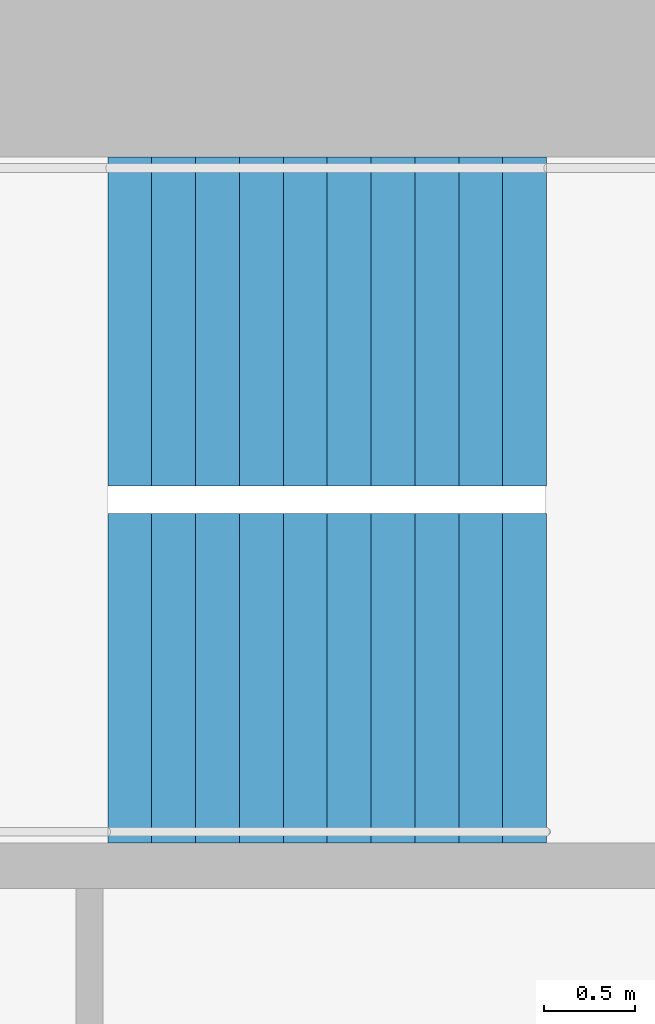
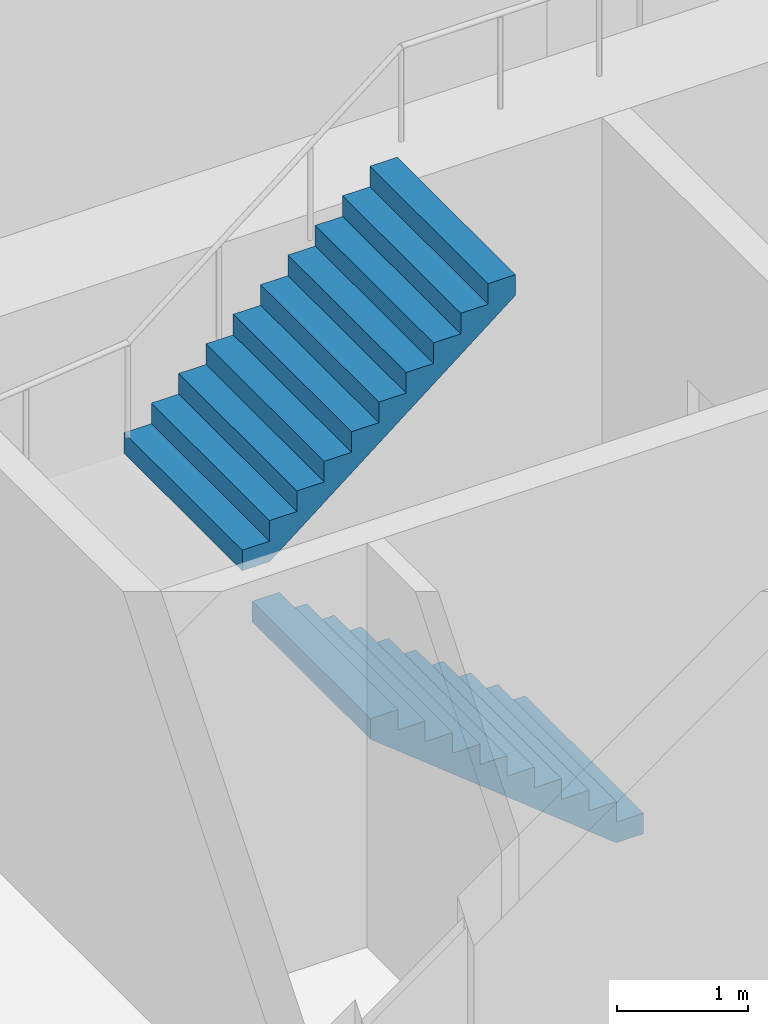
# One storey, part 39 of 41: 2 stair flights, 1 element without a shape of its own.
"""IFC4 building model written with IfcOpenShell, lengths in metres."""

from ifc_helpers import new_model, si_unit, direction, frame, origin, place, context, subcontext, project, spatial, triangles, material, type_object, element, aggregate, save


model = new_model("IFC4")

# Units and contexts
model_context = context("Model", 3, precision=1e-05, world=origin(), true_north=direction((0.0, 1.0)))
body_context = subcontext(model_context, "Body", "Model", "MODEL_VIEW")
ifc_project = project(units=[si_unit("LENGTHUNIT", "METRE"), si_unit("AREAUNIT", "SQUARE_METRE"), si_unit("VOLUMEUNIT", "CUBIC_METRE"), si_unit("PLANEANGLEUNIT", "RADIAN"), si_unit("MASSUNIT", "GRAM", prefix="KILO")], contexts=[model_context])

# Site, building, storey
site_placement = place(None, origin())
site = spatial("IfcSite", under=ifc_project, at=site_placement, CompositionType="ELEMENT")
building_placement = place(site_placement, origin())
building = spatial("IfcBuilding", under=site, at=building_placement, Name="Hakoniwa Tower and Hamabe Station Hall", CompositionType="ELEMENT")
storey_placement = place(building_placement, frame((0.0, 0.0, 276.60009765625)))
storey = spatial("IfcBuildingStorey", under=building, at=storey_placement, Name="L77", CompositionType="ELEMENT", Elevation=276.60009765625)

# Stair, stair flights
ifc_material_1 = material(Name="Concrete C40", Category="concrete")
stair_type = type_object("IfcStairType", Name="ESCAPE STAIR 1800", PredefinedType="HALF_TURN_STAIR", material=ifc_material_1)
stair_placement = place(storey_placement, origin())
stair = element("IfcStair", 1, at=stair_placement, inside=storey, type_object=stair_type, Name="Escape stair ST-3 L77", PredefinedType="HALF_TURN_STAIR")
ifc_material_2 = material(Name="Concrete C40", Category="concrete")
stair_flight_type = type_object("IfcStairFlightType", Name="STAIR FLIGHT 1800", PredefinedType="STRAIGHT", material=ifc_material_2)
stair_flight_1_placement = place(storey_placement, frame((24.39990234375, 4.64990234375, 0.0), z_axis=(0.0, 0.0, 1.0), x_axis=(-1.0, 0.0, 0.0)))
stair_flight_1 = element("IfcStairFlight", 2, at=stair_flight_1_placement, type_object=stair_flight_type, Name="ST-3 flight 1", NumberOfRisers=11, NumberOfTreads=10, PredefinedType="STRAIGHT", RiserHeight=0.190909091, TreadLength=0.24, context=body_context, shape_type="Tessellation", body=[
    triangles([(0.0, 0.89990234375, 0.0), (0.239990234375, 0.89990234375, 0.0), (0.24072265625, 0.89990234375, 0.0), (0.47998046875, 0.89990234375, 0.190185546875), (0.719970703125, 0.89990234375, 0.381103515625), (0.9599609375, 0.89990234375, 0.572021484375), (1.199951171875, 0.89990234375, 0.762939453125), (1.43994140625, 0.89990234375, 0.953857421875), (1.679931640625, 0.89990234375, 1.144775390625), (1.919921875, 0.89990234375, 1.335693359375), (2.159912109375, 0.89990234375, 1.526611328125), (2.39990234375, 0.89990234375, 1.717529296875), (2.39990234375, 0.89990234375, 1.9091796875), (2.159912109375, 0.89990234375, 1.9091796875), (2.159912109375, 0.89990234375, 1.71826171875), (1.919921875, 0.89990234375, 1.71826171875), (1.919921875, 0.89990234375, 1.52734375), (1.679931640625, 0.89990234375, 1.52734375), (1.679931640625, 0.89990234375, 1.33642578125), (1.43994140625, 0.89990234375, 1.33642578125), (1.43994140625, 0.89990234375, 1.1455078125), (1.199951171875, 0.89990234375, 1.1455078125), (1.199951171875, 0.89990234375, 0.95458984375), (0.9599609375, 0.89990234375, 0.95458984375), (0.9599609375, 0.89990234375, 0.763671875), (0.719970703125, 0.89990234375, 0.763671875), (0.719970703125, 0.89990234375, 0.57275390625), (0.47998046875, 0.89990234375, 0.57275390625), (0.47998046875, 0.89990234375, 0.3818359375), (0.24072265625, 0.89990234375, 0.3818359375), (0.239990234375, 0.89990234375, 0.3818359375), (0.239990234375, 0.89990234375, 0.19091796875), (0.0, 0.89990234375, 0.19091796875), (0.0, 0.06005859375, 0.0), (0.239990234375, 0.06005859375, 0.0), (0.24072265625, 0.06005859375, 0.0), (0.47998046875, 0.06005859375, 0.190185546875), (0.719970703125, 0.06005859375, 0.381103515625), (0.9599609375, 0.06005859375, 0.572021484375), (1.199951171875, 0.06005859375, 0.762939453125), (1.43994140625, 0.06005859375, 0.953857421875), (1.679931640625, 0.06005859375, 1.144775390625), (1.919921875, 0.06005859375, 1.335693359375), (2.159912109375, 0.06005859375, 1.526611328125), (2.39990234375, 0.06005859375, 1.717529296875), (2.39990234375, 0.06005859375, 1.9091796875), (2.159912109375, 0.06005859375, 1.9091796875), (2.159912109375, 0.06005859375, 1.71826171875), (1.919921875, 0.06005859375, 1.71826171875), (1.919921875, 0.06005859375, 1.52734375), (1.679931640625, 0.06005859375, 1.52734375), (1.679931640625, 0.06005859375, 1.33642578125), (1.43994140625, 0.06005859375, 1.33642578125), (1.43994140625, 0.06005859375, 1.1455078125), (1.199951171875, 0.06005859375, 1.1455078125), (1.199951171875, 0.06005859375, 0.95458984375), (0.9599609375, 0.06005859375, 0.95458984375), (0.9599609375, 0.06005859375, 0.763671875), (0.719970703125, 0.06005859375, 0.763671875), (0.719970703125, 0.06005859375, 0.57275390625), (0.47998046875, 0.06005859375, 0.57275390625), (0.47998046875, 0.06005859375, 0.3818359375), (0.24072265625, 0.06005859375, 0.3818359375), (0.239990234375, 0.06005859375, 0.3818359375), (0.239990234375, 0.06005859375, 0.19091796875), (0.0, 0.06005859375, 0.19091796875), (0.0, 0.02001953125, 0.0), (0.239990234375, 0.02001953125, 0.0), (0.24072265625, 0.02001953125, 0.0), (0.47998046875, 0.02001953125, 0.190185546875), (0.719970703125, 0.02001953125, 0.381103515625), (0.9599609375, 0.02001953125, 0.572021484375), (1.199951171875, 0.02001953125, 0.762939453125), (1.43994140625, 0.02001953125, 0.953857421875), (1.679931640625, 0.02001953125, 1.144775390625), (1.919921875, 0.02001953125, 1.335693359375), (2.159912109375, 0.02001953125, 1.526611328125), (2.39990234375, 0.02001953125, 1.717529296875), (2.39990234375, 0.02001953125, 1.9091796875), (2.159912109375, 0.02001953125, 1.9091796875), (2.159912109375, 0.02001953125, 1.71826171875), (1.919921875, 0.02001953125, 1.71826171875), (1.919921875, 0.02001953125, 1.52734375), (1.679931640625, 0.02001953125, 1.52734375), (1.679931640625, 0.02001953125, 1.33642578125), (1.43994140625, 0.02001953125, 1.33642578125), (1.43994140625, 0.02001953125, 1.1455078125), (1.199951171875, 0.02001953125, 1.1455078125), (1.199951171875, 0.02001953125, 0.95458984375), (0.9599609375, 0.02001953125, 0.95458984375), (0.9599609375, 0.02001953125, 0.763671875), (0.719970703125, 0.02001953125, 0.763671875), (0.719970703125, 0.02001953125, 0.57275390625), (0.47998046875, 0.02001953125, 0.57275390625), (0.47998046875, 0.02001953125, 0.3818359375), (0.24072265625, 0.02001953125, 0.3818359375), (0.239990234375, 0.02001953125, 0.3818359375), (0.239990234375, 0.02001953125, 0.19091796875), (0.0, 0.02001953125, 0.19091796875), (0.0, -0.02001953125, 0.0), (0.239990234375, -0.02001953125, 0.0), (0.24072265625, -0.02001953125, 0.0), (0.47998046875, -0.02001953125, 0.190185546875), (0.719970703125, -0.02001953125, 0.381103515625), (0.9599609375, -0.02001953125, 0.572021484375), (1.199951171875, -0.02001953125, 0.762939453125), (1.43994140625, -0.02001953125, 0.953857421875), (1.679931640625, -0.02001953125, 1.144775390625), (1.919921875, -0.02001953125, 1.335693359375), (2.159912109375, -0.02001953125, 1.526611328125), (2.39990234375, -0.02001953125, 1.717529296875), (2.39990234375, -0.02001953125, 1.9091796875), (2.159912109375, -0.02001953125, 1.9091796875), (2.159912109375, -0.02001953125, 1.71826171875), (1.919921875, -0.02001953125, 1.71826171875), (1.919921875, -0.02001953125, 1.52734375), (1.679931640625, -0.02001953125, 1.52734375), (1.679931640625, -0.02001953125, 1.33642578125), (1.43994140625, -0.02001953125, 1.33642578125), (1.43994140625, -0.02001953125, 1.1455078125), (1.199951171875, -0.02001953125, 1.1455078125), (1.199951171875, -0.02001953125, 0.95458984375), (0.9599609375, -0.02001953125, 0.95458984375), (0.9599609375, -0.02001953125, 0.763671875), (0.719970703125, -0.02001953125, 0.763671875), (0.719970703125, -0.02001953125, 0.57275390625), (0.47998046875, -0.02001953125, 0.57275390625), (0.47998046875, -0.02001953125, 0.3818359375), (0.24072265625, -0.02001953125, 0.3818359375), (0.239990234375, -0.02001953125, 0.3818359375), (0.239990234375, -0.02001953125, 0.19091796875), (0.0, -0.02001953125, 0.19091796875), (0.0, -0.06005859375, 0.0), (0.239990234375, -0.06005859375, 0.0), (0.24072265625, -0.06005859375, 0.0), (0.47998046875, -0.06005859375, 0.190185546875), (0.719970703125, -0.06005859375, 0.381103515625), (0.9599609375, -0.06005859375, 0.572021484375), (1.199951171875, -0.06005859375, 0.762939453125), (1.43994140625, -0.06005859375, 0.953857421875), (1.679931640625, -0.06005859375, 1.144775390625), (1.919921875, -0.06005859375, 1.335693359375), (2.159912109375, -0.06005859375, 1.526611328125), (2.39990234375, -0.06005859375, 1.717529296875), (2.39990234375, -0.06005859375, 1.9091796875), (2.159912109375, -0.06005859375, 1.9091796875), (2.159912109375, -0.06005859375, 1.71826171875), (1.919921875, -0.06005859375, 1.71826171875), (1.919921875, -0.06005859375, 1.52734375), (1.679931640625, -0.06005859375, 1.52734375), (1.679931640625, -0.06005859375, 1.33642578125), (1.43994140625, -0.06005859375, 1.33642578125), (1.43994140625, -0.06005859375, 1.1455078125), (1.199951171875, -0.06005859375, 1.1455078125), (1.199951171875, -0.06005859375, 0.95458984375), (0.9599609375, -0.06005859375, 0.95458984375), (0.9599609375, -0.06005859375, 0.763671875), (0.719970703125, -0.06005859375, 0.763671875), (0.719970703125, -0.06005859375, 0.57275390625), (0.47998046875, -0.06005859375, 0.57275390625), (0.47998046875, -0.06005859375, 0.3818359375), (0.24072265625, -0.06005859375, 0.3818359375), (0.239990234375, -0.06005859375, 0.3818359375), (0.239990234375, -0.06005859375, 0.19091796875), (0.0, -0.06005859375, 0.19091796875), (0.0, -0.89990234375, 0.0), (0.239990234375, -0.89990234375, 0.0), (0.24072265625, -0.89990234375, 0.0), (0.47998046875, -0.89990234375, 0.190185546875), (0.719970703125, -0.89990234375, 0.381103515625), (0.9599609375, -0.89990234375, 0.572021484375), (1.199951171875, -0.89990234375, 0.762939453125), (1.43994140625, -0.89990234375, 0.953857421875), (1.679931640625, -0.89990234375, 1.144775390625), (1.919921875, -0.89990234375, 1.335693359375), (2.159912109375, -0.89990234375, 1.526611328125), (2.39990234375, -0.89990234375, 1.717529296875), (2.39990234375, -0.89990234375, 1.9091796875), (2.159912109375, -0.89990234375, 1.9091796875), (2.159912109375, -0.89990234375, 1.71826171875), (1.919921875, -0.89990234375, 1.71826171875), (1.919921875, -0.89990234375, 1.52734375), (1.679931640625, -0.89990234375, 1.52734375), (1.679931640625, -0.89990234375, 1.33642578125), (1.43994140625, -0.89990234375, 1.33642578125), (1.43994140625, -0.89990234375, 1.1455078125), (1.199951171875, -0.89990234375, 1.1455078125), (1.199951171875, -0.89990234375, 0.95458984375), (0.9599609375, -0.89990234375, 0.95458984375), (0.9599609375, -0.89990234375, 0.763671875), (0.719970703125, -0.89990234375, 0.763671875), (0.719970703125, -0.89990234375, 0.57275390625), (0.47998046875, -0.89990234375, 0.57275390625), (0.47998046875, -0.89990234375, 0.3818359375), (0.24072265625, -0.89990234375, 0.3818359375), (0.239990234375, -0.89990234375, 0.3818359375), (0.239990234375, -0.89990234375, 0.19091796875), (0.0, -0.89990234375, 0.19091796875)], [[2, 33, 32], [167, 197, 198], [2, 1, 33], [167, 198, 166], [3, 31, 30], [168, 195, 196], [3, 32, 31], [168, 196, 197], [3, 2, 32], [168, 197, 167], [4, 30, 29], [169, 194, 195], [4, 3, 30], [169, 195, 168], [5, 28, 27], [170, 192, 193], [5, 29, 28], [170, 193, 194], [5, 4, 29], [170, 194, 169], [6, 26, 25], [171, 190, 191], [6, 27, 26], [171, 191, 192], [6, 5, 27], [171, 192, 170], [7, 24, 23], [172, 188, 189], [7, 25, 24], [172, 189, 190], [7, 6, 25], [172, 190, 171], [8, 22, 21], [173, 186, 187], [8, 23, 22], [173, 187, 188], [8, 7, 23], [173, 188, 172], [9, 20, 19], [174, 184, 185], [9, 21, 20], [174, 185, 186], [9, 8, 21], [174, 186, 173], [10, 18, 17], [175, 182, 183], [10, 19, 18], [175, 183, 184], [10, 9, 19], [175, 184, 174], [11, 16, 15], [176, 180, 181], [11, 17, 16], [176, 181, 182], [11, 10, 17], [176, 182, 175], [12, 14, 13], [177, 178, 179], [12, 15, 14], [177, 179, 180], [12, 11, 15], [177, 180, 176], [1, 2, 35], [1, 35, 34], [34, 35, 68], [34, 68, 67], [67, 68, 101], [67, 101, 100], [100, 101, 134], [100, 134, 133], [133, 134, 167], [133, 167, 166], [2, 3, 36], [2, 36, 35], [35, 36, 69], [35, 69, 68], [68, 69, 102], [68, 102, 101], [101, 102, 135], [101, 135, 134], [134, 135, 168], [134, 168, 167], [3, 4, 37], [3, 37, 36], [36, 37, 70], [36, 70, 69], [69, 70, 103], [69, 103, 102], [102, 103, 136], [102, 136, 135], [135, 136, 169], [135, 169, 168], [4, 5, 38], [4, 38, 37], [37, 38, 71], [37, 71, 70], [70, 71, 104], [70, 104, 103], [103, 104, 137], [103, 137, 136], [136, 137, 170], [136, 170, 169], [5, 6, 39], [5, 39, 38], [38, 39, 72], [38, 72, 71], [71, 72, 105], [71, 105, 104], [104, 105, 138], [104, 138, 137], [137, 138, 171], [137, 171, 170], [6, 7, 40], [6, 40, 39], [39, 40, 73], [39, 73, 72], [72, 73, 106], [72, 106, 105], [105, 106, 139], [105, 139, 138], [138, 139, 172], [138, 172, 171], [7, 8, 41], [7, 41, 40], [40, 41, 74], [40, 74, 73], [73, 74, 107], [73, 107, 106], [106, 107, 140], [106, 140, 139], [139, 140, 173], [139, 173, 172], [8, 9, 42], [8, 42, 41], [41, 42, 75], [41, 75, 74], [74, 75, 108], [74, 108, 107], [107, 108, 141], [107, 141, 140], [140, 141, 174], [140, 174, 173], [9, 10, 43], [9, 43, 42], [42, 43, 76], [42, 76, 75], [75, 76, 109], [75, 109, 108], [108, 109, 142], [108, 142, 141], [141, 142, 175], [141, 175, 174], [10, 11, 44], [10, 44, 43], [43, 44, 77], [43, 77, 76], [76, 77, 110], [76, 110, 109], [109, 110, 143], [109, 143, 142], [142, 143, 176], [142, 176, 175], [11, 12, 45], [11, 45, 44], [44, 45, 78], [44, 78, 77], [77, 78, 111], [77, 111, 110], [110, 111, 144], [110, 144, 143], [143, 144, 177], [143, 177, 176], [12, 13, 46], [12, 46, 45], [45, 46, 79], [45, 79, 78], [78, 79, 112], [78, 112, 111], [111, 112, 145], [111, 145, 144], [144, 145, 178], [144, 178, 177], [13, 14, 47], [13, 47, 46], [46, 47, 80], [46, 80, 79], [79, 80, 113], [79, 113, 112], [112, 113, 146], [112, 146, 145], [145, 146, 179], [145, 179, 178], [14, 15, 48], [14, 48, 47], [47, 48, 81], [47, 81, 80], [80, 81, 114], [80, 114, 113], [113, 114, 147], [113, 147, 146], [146, 147, 180], [146, 180, 179], [15, 16, 49], [15, 49, 48], [48, 49, 82], [48, 82, 81], [81, 82, 115], [81, 115, 114], [114, 115, 148], [114, 148, 147], [147, 148, 181], [147, 181, 180], [16, 17, 50], [16, 50, 49], [49, 50, 83], [49, 83, 82], [82, 83, 116], [82, 116, 115], [115, 116, 149], [115, 149, 148], [148, 149, 182], [148, 182, 181], [17, 18, 51], [17, 51, 50], [50, 51, 84], [50, 84, 83], [83, 84, 117], [83, 117, 116], [116, 117, 150], [116, 150, 149], [149, 150, 183], [149, 183, 182], [18, 19, 52], [18, 52, 51], [51, 52, 85], [51, 85, 84], [84, 85, 118], [84, 118, 117], [117, 118, 151], [117, 151, 150], [150, 151, 184], [150, 184, 183], [19, 20, 53], [19, 53, 52], [52, 53, 86], [52, 86, 85], [85, 86, 119], [85, 119, 118], [118, 119, 152], [118, 152, 151], [151, 152, 185], [151, 185, 184], [20, 21, 54], [20, 54, 53], [53, 54, 87], [53, 87, 86], [86, 87, 120], [86, 120, 119], [119, 120, 153], [119, 153, 152], [152, 153, 186], [152, 186, 185], [21, 22, 55], [21, 55, 54], [54, 55, 88], [54, 88, 87], [87, 88, 121], [87, 121, 120], [120, 121, 154], [120, 154, 153], [153, 154, 187], [153, 187, 186], [22, 23, 56], [22, 56, 55], [55, 56, 89], [55, 89, 88], [88, 89, 122], [88, 122, 121], [121, 122, 155], [121, 155, 154], [154, 155, 188], [154, 188, 187], [23, 24, 57], [23, 57, 56], [56, 57, 90], [56, 90, 89], [89, 90, 123], [89, 123, 122], [122, 123, 156], [122, 156, 155], [155, 156, 189], [155, 189, 188], [24, 25, 58], [24, 58, 57], [57, 58, 91], [57, 91, 90], [90, 91, 124], [90, 124, 123], [123, 124, 157], [123, 157, 156], [156, 157, 190], [156, 190, 189], [25, 26, 59], [25, 59, 58], [58, 59, 92], [58, 92, 91], [91, 92, 125], [91, 125, 124], [124, 125, 158], [124, 158, 157], [157, 158, 191], [157, 191, 190], [26, 27, 60], [26, 60, 59], [59, 60, 93], [59, 93, 92], [92, 93, 126], [92, 126, 125], [125, 126, 159], [125, 159, 158], [158, 159, 192], [158, 192, 191], [27, 28, 61], [27, 61, 60], [60, 61, 94], [60, 94, 93], [93, 94, 127], [93, 127, 126], [126, 127, 160], [126, 160, 159], [159, 160, 193], [159, 193, 192], [28, 29, 62], [28, 62, 61], [61, 62, 95], [61, 95, 94], [94, 95, 128], [94, 128, 127], [127, 128, 161], [127, 161, 160], [160, 161, 194], [160, 194, 193], [29, 30, 63], [29, 63, 62], [62, 63, 96], [62, 96, 95], [95, 96, 129], [95, 129, 128], [128, 129, 162], [128, 162, 161], [161, 162, 195], [161, 195, 194], [30, 31, 64], [30, 64, 63], [63, 64, 97], [63, 97, 96], [96, 97, 130], [96, 130, 129], [129, 130, 163], [129, 163, 162], [162, 163, 196], [162, 196, 195], [31, 32, 65], [31, 65, 64], [64, 65, 98], [64, 98, 97], [97, 98, 131], [97, 131, 130], [130, 131, 164], [130, 164, 163], [163, 164, 197], [163, 197, 196], [32, 33, 66], [32, 66, 65], [65, 66, 99], [65, 99, 98], [98, 99, 132], [98, 132, 131], [131, 132, 165], [131, 165, 164], [164, 165, 198], [164, 198, 197], [33, 1, 34], [33, 34, 66], [66, 34, 67], [66, 67, 99], [99, 67, 100], [99, 100, 132], [132, 100, 133], [132, 133, 165], [165, 133, 166], [165, 166, 198]], closed=True),
])
stair_flight_2_placement = place(storey_placement, frame((22.0, 6.60009765625, 2.099853515625), z_axis=(0.0, 0.0, 1.0), x_axis=(1.0, 0.0, 0.0)))
stair_flight_2 = element("IfcStairFlight", 3, at=stair_flight_2_placement, type_object=stair_flight_type, Name="ST-3 flight 2", NumberOfRisers=11, NumberOfTreads=10, PredefinedType="STRAIGHT", RiserHeight=0.190909091, TreadLength=0.24, context=body_context, shape_type="Tessellation", body=[
    triangles([(0.0, 0.89990234375, 0.0), (0.239990234375, 0.89990234375, 0.0), (0.24072265625, 0.89990234375, 0.0), (0.47998046875, 0.89990234375, 0.190185546875), (0.719970703125, 0.89990234375, 0.381103515625), (0.9599609375, 0.89990234375, 0.572021484375), (1.199951171875, 0.89990234375, 0.762939453125), (1.43994140625, 0.89990234375, 0.953857421875), (1.679931640625, 0.89990234375, 1.144775390625), (1.919921875, 0.89990234375, 1.335693359375), (2.159912109375, 0.89990234375, 1.526611328125), (2.39990234375, 0.89990234375, 1.717529296875), (2.39990234375, 0.89990234375, 1.9091796875), (2.159912109375, 0.89990234375, 1.9091796875), (2.159912109375, 0.89990234375, 1.71826171875), (1.919921875, 0.89990234375, 1.71826171875), (1.919921875, 0.89990234375, 1.52734375), (1.679931640625, 0.89990234375, 1.52734375), (1.679931640625, 0.89990234375, 1.33642578125), (1.43994140625, 0.89990234375, 1.33642578125), (1.43994140625, 0.89990234375, 1.1455078125), (1.199951171875, 0.89990234375, 1.1455078125), (1.199951171875, 0.89990234375, 0.95458984375), (0.9599609375, 0.89990234375, 0.95458984375), (0.9599609375, 0.89990234375, 0.763671875), (0.719970703125, 0.89990234375, 0.763671875), (0.719970703125, 0.89990234375, 0.57275390625), (0.47998046875, 0.89990234375, 0.57275390625), (0.47998046875, 0.89990234375, 0.3818359375), (0.24072265625, 0.89990234375, 0.3818359375), (0.239990234375, 0.89990234375, 0.3818359375), (0.239990234375, 0.89990234375, 0.19091796875), (0.0, 0.89990234375, 0.19091796875), (0.0, 0.06005859375, 0.0), (0.239990234375, 0.06005859375, 0.0), (0.24072265625, 0.06005859375, 0.0), (0.47998046875, 0.06005859375, 0.190185546875), (0.719970703125, 0.06005859375, 0.381103515625), (0.9599609375, 0.06005859375, 0.572021484375), (1.199951171875, 0.06005859375, 0.762939453125), (1.43994140625, 0.06005859375, 0.953857421875), (1.679931640625, 0.06005859375, 1.144775390625), (1.919921875, 0.06005859375, 1.335693359375), (2.159912109375, 0.06005859375, 1.526611328125), (2.39990234375, 0.06005859375, 1.717529296875), (2.39990234375, 0.06005859375, 1.9091796875), (2.159912109375, 0.06005859375, 1.9091796875), (2.159912109375, 0.06005859375, 1.71826171875), (1.919921875, 0.06005859375, 1.71826171875), (1.919921875, 0.06005859375, 1.52734375), (1.679931640625, 0.06005859375, 1.52734375), (1.679931640625, 0.06005859375, 1.33642578125), (1.43994140625, 0.06005859375, 1.33642578125), (1.43994140625, 0.06005859375, 1.1455078125), (1.199951171875, 0.06005859375, 1.1455078125), (1.199951171875, 0.06005859375, 0.95458984375), (0.9599609375, 0.06005859375, 0.95458984375), (0.9599609375, 0.06005859375, 0.763671875), (0.719970703125, 0.06005859375, 0.763671875), (0.719970703125, 0.06005859375, 0.57275390625), (0.47998046875, 0.06005859375, 0.57275390625), (0.47998046875, 0.06005859375, 0.3818359375), (0.24072265625, 0.06005859375, 0.3818359375), (0.239990234375, 0.06005859375, 0.3818359375), (0.239990234375, 0.06005859375, 0.19091796875), (0.0, 0.06005859375, 0.19091796875), (0.0, 0.02001953125, 0.0), (0.239990234375, 0.02001953125, 0.0), (0.24072265625, 0.02001953125, 0.0), (0.47998046875, 0.02001953125, 0.190185546875), (0.719970703125, 0.02001953125, 0.381103515625), (0.9599609375, 0.02001953125, 0.572021484375), (1.199951171875, 0.02001953125, 0.762939453125), (1.43994140625, 0.02001953125, 0.953857421875), (1.679931640625, 0.02001953125, 1.144775390625), (1.919921875, 0.02001953125, 1.335693359375), (2.159912109375, 0.02001953125, 1.526611328125), (2.39990234375, 0.02001953125, 1.717529296875), (2.39990234375, 0.02001953125, 1.9091796875), (2.159912109375, 0.02001953125, 1.9091796875), (2.159912109375, 0.02001953125, 1.71826171875), (1.919921875, 0.02001953125, 1.71826171875), (1.919921875, 0.02001953125, 1.52734375), (1.679931640625, 0.02001953125, 1.52734375), (1.679931640625, 0.02001953125, 1.33642578125), (1.43994140625, 0.02001953125, 1.33642578125), (1.43994140625, 0.02001953125, 1.1455078125), (1.199951171875, 0.02001953125, 1.1455078125), (1.199951171875, 0.02001953125, 0.95458984375), (0.9599609375, 0.02001953125, 0.95458984375), (0.9599609375, 0.02001953125, 0.763671875), (0.719970703125, 0.02001953125, 0.763671875), (0.719970703125, 0.02001953125, 0.57275390625), (0.47998046875, 0.02001953125, 0.57275390625), (0.47998046875, 0.02001953125, 0.3818359375), (0.24072265625, 0.02001953125, 0.3818359375), (0.239990234375, 0.02001953125, 0.3818359375), (0.239990234375, 0.02001953125, 0.19091796875), (0.0, 0.02001953125, 0.19091796875), (0.0, -0.02001953125, 0.0), (0.239990234375, -0.02001953125, 0.0), (0.24072265625, -0.02001953125, 0.0), (0.47998046875, -0.02001953125, 0.190185546875), (0.719970703125, -0.02001953125, 0.381103515625), (0.9599609375, -0.02001953125, 0.572021484375), (1.199951171875, -0.02001953125, 0.762939453125), (1.43994140625, -0.02001953125, 0.953857421875), (1.679931640625, -0.02001953125, 1.144775390625), (1.919921875, -0.02001953125, 1.335693359375), (2.159912109375, -0.02001953125, 1.526611328125), (2.39990234375, -0.02001953125, 1.717529296875), (2.39990234375, -0.02001953125, 1.9091796875), (2.159912109375, -0.02001953125, 1.9091796875), (2.159912109375, -0.02001953125, 1.71826171875), (1.919921875, -0.02001953125, 1.71826171875), (1.919921875, -0.02001953125, 1.52734375), (1.679931640625, -0.02001953125, 1.52734375), (1.679931640625, -0.02001953125, 1.33642578125), (1.43994140625, -0.02001953125, 1.33642578125), (1.43994140625, -0.02001953125, 1.1455078125), (1.199951171875, -0.02001953125, 1.1455078125), (1.199951171875, -0.02001953125, 0.95458984375), (0.9599609375, -0.02001953125, 0.95458984375), (0.9599609375, -0.02001953125, 0.763671875), (0.719970703125, -0.02001953125, 0.763671875), (0.719970703125, -0.02001953125, 0.57275390625), (0.47998046875, -0.02001953125, 0.57275390625), (0.47998046875, -0.02001953125, 0.3818359375), (0.24072265625, -0.02001953125, 0.3818359375), (0.239990234375, -0.02001953125, 0.3818359375), (0.239990234375, -0.02001953125, 0.19091796875), (0.0, -0.02001953125, 0.19091796875), (0.0, -0.06005859375, 0.0), (0.239990234375, -0.06005859375, 0.0), (0.24072265625, -0.06005859375, 0.0), (0.47998046875, -0.06005859375, 0.190185546875), (0.719970703125, -0.06005859375, 0.381103515625), (0.9599609375, -0.06005859375, 0.572021484375), (1.199951171875, -0.06005859375, 0.762939453125), (1.43994140625, -0.06005859375, 0.953857421875), (1.679931640625, -0.06005859375, 1.144775390625), (1.919921875, -0.06005859375, 1.335693359375), (2.159912109375, -0.06005859375, 1.526611328125), (2.39990234375, -0.06005859375, 1.717529296875), (2.39990234375, -0.06005859375, 1.9091796875), (2.159912109375, -0.06005859375, 1.9091796875), (2.159912109375, -0.06005859375, 1.71826171875), (1.919921875, -0.06005859375, 1.71826171875), (1.919921875, -0.06005859375, 1.52734375), (1.679931640625, -0.06005859375, 1.52734375), (1.679931640625, -0.06005859375, 1.33642578125), (1.43994140625, -0.06005859375, 1.33642578125), (1.43994140625, -0.06005859375, 1.1455078125), (1.199951171875, -0.06005859375, 1.1455078125), (1.199951171875, -0.06005859375, 0.95458984375), (0.9599609375, -0.06005859375, 0.95458984375), (0.9599609375, -0.06005859375, 0.763671875), (0.719970703125, -0.06005859375, 0.763671875), (0.719970703125, -0.06005859375, 0.57275390625), (0.47998046875, -0.06005859375, 0.57275390625), (0.47998046875, -0.06005859375, 0.3818359375), (0.24072265625, -0.06005859375, 0.3818359375), (0.239990234375, -0.06005859375, 0.3818359375), (0.239990234375, -0.06005859375, 0.19091796875), (0.0, -0.06005859375, 0.19091796875), (0.0, -0.89990234375, 0.0), (0.239990234375, -0.89990234375, 0.0), (0.24072265625, -0.89990234375, 0.0), (0.47998046875, -0.89990234375, 0.190185546875), (0.719970703125, -0.89990234375, 0.381103515625), (0.9599609375, -0.89990234375, 0.572021484375), (1.199951171875, -0.89990234375, 0.762939453125), (1.43994140625, -0.89990234375, 0.953857421875), (1.679931640625, -0.89990234375, 1.144775390625), (1.919921875, -0.89990234375, 1.335693359375), (2.159912109375, -0.89990234375, 1.526611328125), (2.39990234375, -0.89990234375, 1.717529296875), (2.39990234375, -0.89990234375, 1.9091796875), (2.159912109375, -0.89990234375, 1.9091796875), (2.159912109375, -0.89990234375, 1.71826171875), (1.919921875, -0.89990234375, 1.71826171875), (1.919921875, -0.89990234375, 1.52734375), (1.679931640625, -0.89990234375, 1.52734375), (1.679931640625, -0.89990234375, 1.33642578125), (1.43994140625, -0.89990234375, 1.33642578125), (1.43994140625, -0.89990234375, 1.1455078125), (1.199951171875, -0.89990234375, 1.1455078125), (1.199951171875, -0.89990234375, 0.95458984375), (0.9599609375, -0.89990234375, 0.95458984375), (0.9599609375, -0.89990234375, 0.763671875), (0.719970703125, -0.89990234375, 0.763671875), (0.719970703125, -0.89990234375, 0.57275390625), (0.47998046875, -0.89990234375, 0.57275390625), (0.47998046875, -0.89990234375, 0.3818359375), (0.24072265625, -0.89990234375, 0.3818359375), (0.239990234375, -0.89990234375, 0.3818359375), (0.239990234375, -0.89990234375, 0.19091796875), (0.0, -0.89990234375, 0.19091796875)], [[2, 33, 32], [167, 197, 198], [2, 1, 33], [167, 198, 166], [3, 31, 30], [168, 195, 196], [3, 32, 31], [168, 196, 197], [3, 2, 32], [168, 197, 167], [4, 30, 29], [169, 194, 195], [4, 3, 30], [169, 195, 168], [5, 28, 27], [170, 192, 193], [5, 29, 28], [170, 193, 194], [5, 4, 29], [170, 194, 169], [6, 26, 25], [171, 190, 191], [6, 27, 26], [171, 191, 192], [6, 5, 27], [171, 192, 170], [7, 24, 23], [172, 188, 189], [7, 25, 24], [172, 189, 190], [7, 6, 25], [172, 190, 171], [8, 22, 21], [173, 186, 187], [8, 23, 22], [173, 187, 188], [8, 7, 23], [173, 188, 172], [9, 20, 19], [174, 184, 185], [9, 21, 20], [174, 185, 186], [9, 8, 21], [174, 186, 173], [10, 18, 17], [175, 182, 183], [10, 19, 18], [175, 183, 184], [10, 9, 19], [175, 184, 174], [11, 16, 15], [176, 180, 181], [11, 17, 16], [176, 181, 182], [11, 10, 17], [176, 182, 175], [12, 14, 13], [177, 178, 179], [12, 15, 14], [177, 179, 180], [12, 11, 15], [177, 180, 176], [1, 2, 35], [1, 35, 34], [34, 35, 68], [34, 68, 67], [67, 68, 101], [67, 101, 100], [100, 101, 134], [100, 134, 133], [133, 134, 167], [133, 167, 166], [2, 3, 36], [2, 36, 35], [35, 36, 69], [35, 69, 68], [68, 69, 102], [68, 102, 101], [101, 102, 135], [101, 135, 134], [134, 135, 168], [134, 168, 167], [3, 4, 37], [3, 37, 36], [36, 37, 70], [36, 70, 69], [69, 70, 103], [69, 103, 102], [102, 103, 136], [102, 136, 135], [135, 136, 169], [135, 169, 168], [4, 5, 38], [4, 38, 37], [37, 38, 71], [37, 71, 70], [70, 71, 104], [70, 104, 103], [103, 104, 137], [103, 137, 136], [136, 137, 170], [136, 170, 169], [5, 6, 39], [5, 39, 38], [38, 39, 72], [38, 72, 71], [71, 72, 105], [71, 105, 104], [104, 105, 138], [104, 138, 137], [137, 138, 171], [137, 171, 170], [6, 7, 40], [6, 40, 39], [39, 40, 73], [39, 73, 72], [72, 73, 106], [72, 106, 105], [105, 106, 139], [105, 139, 138], [138, 139, 172], [138, 172, 171], [7, 8, 41], [7, 41, 40], [40, 41, 74], [40, 74, 73], [73, 74, 107], [73, 107, 106], [106, 107, 140], [106, 140, 139], [139, 140, 173], [139, 173, 172], [8, 9, 42], [8, 42, 41], [41, 42, 75], [41, 75, 74], [74, 75, 108], [74, 108, 107], [107, 108, 141], [107, 141, 140], [140, 141, 174], [140, 174, 173], [9, 10, 43], [9, 43, 42], [42, 43, 76], [42, 76, 75], [75, 76, 109], [75, 109, 108], [108, 109, 142], [108, 142, 141], [141, 142, 175], [141, 175, 174], [10, 11, 44], [10, 44, 43], [43, 44, 77], [43, 77, 76], [76, 77, 110], [76, 110, 109], [109, 110, 143], [109, 143, 142], [142, 143, 176], [142, 176, 175], [11, 12, 45], [11, 45, 44], [44, 45, 78], [44, 78, 77], [77, 78, 111], [77, 111, 110], [110, 111, 144], [110, 144, 143], [143, 144, 177], [143, 177, 176], [12, 13, 46], [12, 46, 45], [45, 46, 79], [45, 79, 78], [78, 79, 112], [78, 112, 111], [111, 112, 145], [111, 145, 144], [144, 145, 178], [144, 178, 177], [13, 14, 47], [13, 47, 46], [46, 47, 80], [46, 80, 79], [79, 80, 113], [79, 113, 112], [112, 113, 146], [112, 146, 145], [145, 146, 179], [145, 179, 178], [14, 15, 48], [14, 48, 47], [47, 48, 81], [47, 81, 80], [80, 81, 114], [80, 114, 113], [113, 114, 147], [113, 147, 146], [146, 147, 180], [146, 180, 179], [15, 16, 49], [15, 49, 48], [48, 49, 82], [48, 82, 81], [81, 82, 115], [81, 115, 114], [114, 115, 148], [114, 148, 147], [147, 148, 181], [147, 181, 180], [16, 17, 50], [16, 50, 49], [49, 50, 83], [49, 83, 82], [82, 83, 116], [82, 116, 115], [115, 116, 149], [115, 149, 148], [148, 149, 182], [148, 182, 181], [17, 18, 51], [17, 51, 50], [50, 51, 84], [50, 84, 83], [83, 84, 117], [83, 117, 116], [116, 117, 150], [116, 150, 149], [149, 150, 183], [149, 183, 182], [18, 19, 52], [18, 52, 51], [51, 52, 85], [51, 85, 84], [84, 85, 118], [84, 118, 117], [117, 118, 151], [117, 151, 150], [150, 151, 184], [150, 184, 183], [19, 20, 53], [19, 53, 52], [52, 53, 86], [52, 86, 85], [85, 86, 119], [85, 119, 118], [118, 119, 152], [118, 152, 151], [151, 152, 185], [151, 185, 184], [20, 21, 54], [20, 54, 53], [53, 54, 87], [53, 87, 86], [86, 87, 120], [86, 120, 119], [119, 120, 153], [119, 153, 152], [152, 153, 186], [152, 186, 185], [21, 22, 55], [21, 55, 54], [54, 55, 88], [54, 88, 87], [87, 88, 121], [87, 121, 120], [120, 121, 154], [120, 154, 153], [153, 154, 187], [153, 187, 186], [22, 23, 56], [22, 56, 55], [55, 56, 89], [55, 89, 88], [88, 89, 122], [88, 122, 121], [121, 122, 155], [121, 155, 154], [154, 155, 188], [154, 188, 187], [23, 24, 57], [23, 57, 56], [56, 57, 90], [56, 90, 89], [89, 90, 123], [89, 123, 122], [122, 123, 156], [122, 156, 155], [155, 156, 189], [155, 189, 188], [24, 25, 58], [24, 58, 57], [57, 58, 91], [57, 91, 90], [90, 91, 124], [90, 124, 123], [123, 124, 157], [123, 157, 156], [156, 157, 190], [156, 190, 189], [25, 26, 59], [25, 59, 58], [58, 59, 92], [58, 92, 91], [91, 92, 125], [91, 125, 124], [124, 125, 158], [124, 158, 157], [157, 158, 191], [157, 191, 190], [26, 27, 60], [26, 60, 59], [59, 60, 93], [59, 93, 92], [92, 93, 126], [92, 126, 125], [125, 126, 159], [125, 159, 158], [158, 159, 192], [158, 192, 191], [27, 28, 61], [27, 61, 60], [60, 61, 94], [60, 94, 93], [93, 94, 127], [93, 127, 126], [126, 127, 160], [126, 160, 159], [159, 160, 193], [159, 193, 192], [28, 29, 62], [28, 62, 61], [61, 62, 95], [61, 95, 94], [94, 95, 128], [94, 128, 127], [127, 128, 161], [127, 161, 160], [160, 161, 194], [160, 194, 193], [29, 30, 63], [29, 63, 62], [62, 63, 96], [62, 96, 95], [95, 96, 129], [95, 129, 128], [128, 129, 162], [128, 162, 161], [161, 162, 195], [161, 195, 194], [30, 31, 64], [30, 64, 63], [63, 64, 97], [63, 97, 96], [96, 97, 130], [96, 130, 129], [129, 130, 163], [129, 163, 162], [162, 163, 196], [162, 196, 195], [31, 32, 65], [31, 65, 64], [64, 65, 98], [64, 98, 97], [97, 98, 131], [97, 131, 130], [130, 131, 164], [130, 164, 163], [163, 164, 197], [163, 197, 196], [32, 33, 66], [32, 66, 65], [65, 66, 99], [65, 99, 98], [98, 99, 132], [98, 132, 131], [131, 132, 165], [131, 165, 164], [164, 165, 198], [164, 198, 197], [33, 1, 34], [33, 34, 66], [66, 34, 67], [66, 67, 99], [99, 67, 100], [99, 100, 132], [132, 100, 133], [132, 133, 165], [165, 133, 166], [165, 166, 198]], closed=True),
])
aggregate(stair, [stair_flight_1, stair_flight_2])

save(model, "model.ifc")
